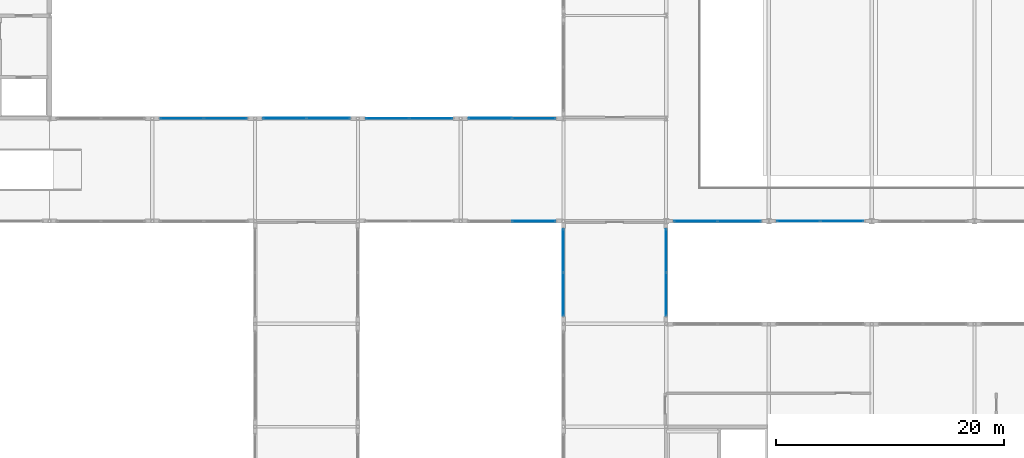
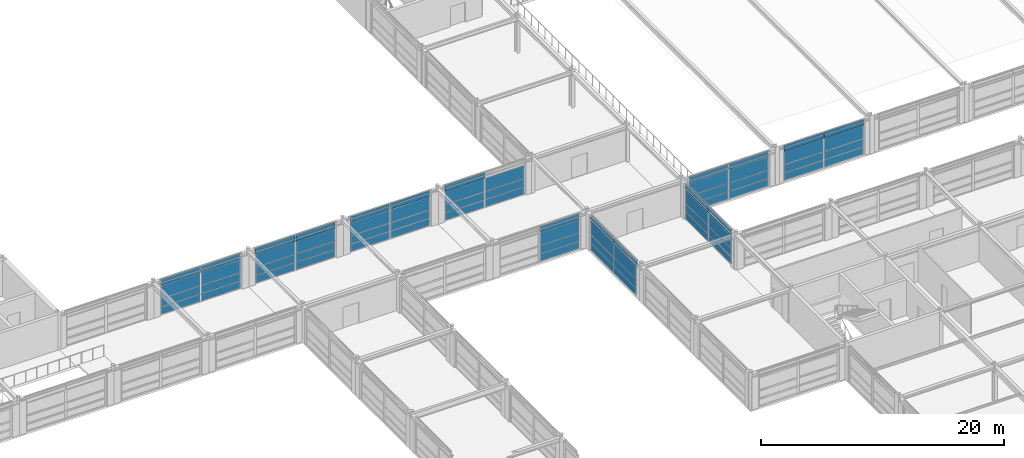
# One storey, part 56 of 79: 67 plates, 9 elements without a shape of their own.
"""IFC4 building model written with IfcOpenShell, lengths in metres."""

from ifc_helpers import new_model, si_unit, direction, frame, origin, origin_2d, place, context, subcontext, project, spatial, rectangle, extrude, material, layer, layer_set, type_object, element, aggregate, save


model = new_model("IFC4")

# Units and contexts
model_context = context("Model", 3, precision=1e-05, world=origin(), true_north=direction((0.0, 1.0)))
body_context = subcontext(model_context, "Body", "Model", "MODEL_VIEW")
ifc_project = project(units=[si_unit("LENGTHUNIT", "METRE"), si_unit("AREAUNIT", "SQUARE_METRE"), si_unit("VOLUMEUNIT", "CUBIC_METRE"), si_unit("PLANEANGLEUNIT", "RADIAN"), si_unit("MASSUNIT", "GRAM", prefix="KILO")], contexts=[model_context])

# Site, building, storey
site_placement = place(None, origin())
site = spatial("IfcSite", under=ifc_project, at=site_placement, CompositionType="ELEMENT")
building_placement = place(site_placement, origin())
building = spatial("IfcBuilding", under=site, at=building_placement, Name="Palais des Congres Ocreval", CompositionType="ELEMENT")
storey_placement = place(building_placement, frame((0.0, 0.0, 4.320068359375)))
storey = spatial("IfcBuildingStorey", under=building, at=storey_placement, Name="L01", CompositionType="ELEMENT", Elevation=4.320068359375)

# Curtain wall, plates
ifc_material_1 = material(Name="Anodized bronze aluminium and low-E glass", Category="glass")
curtain_wall_type = type_object("IfcCurtainWallType", Name="Unitised Curtain Wall 7900x3660", PredefinedType="USERDEFINED", material=ifc_material_1)
curtain_wall_1_placement = place(storey_placement, origin())
curtain_wall_1 = element("IfcCurtainWall", 1, at=curtain_wall_1_placement, inside=storey, type_object=curtain_wall_type, Name="Unitised Curtain Wall CW02 L01", ObjectType="UNITISED CURTAIN WALL", PredefinedType="USERDEFINED")
ifc_material_2 = material(Name="Acoustic triple glazing", Category="glass")
ifc_layer_1 = layer(ifc_material_2, 0.0439453125)
ifc_layer_set_1 = layer_set([ifc_layer_1], Name="Acoustic Laminated Glazing Panel 44 (Acoustic triple glazing)")
plate_type_1 = type_object("IfcPlateType", Name="Acoustic Laminated Glazing Panel 44", PredefinedType="CURTAIN_PANEL", material=ifc_layer_set_1)
plate_1_placement = place(storey_placement, frame((74.59375, 81.0, 0.06005859375), z_axis=(0.0, 0.0, 1.0), x_axis=(1.0, 0.0, 0.0)))
plate_1 = element("IfcPlate", 2, at=plate_1_placement, type_object=plate_type_1, Name="Vision Glazing Panel VP02", PredefinedType="CURTAIN_PANEL", context=body_context, shape_type="SweptSolid", body=[
    extrude(rectangle(XDim=3.737548828125, YDim=0.0439453125, at=origin_2d()), origin(), (0.0, 0.0, 1.0), 0.68994140625),
])
plate_2_placement = place(storey_placement, frame((74.59375, 81.0, 0.81005859375), z_axis=(0.0, 0.0, 1.0), x_axis=(1.0, 0.0, 0.0)))
plate_2 = element("IfcPlate", 3, at=plate_2_placement, type_object=plate_type_1, Name="Vision Glazing Panel VP02", PredefinedType="CURTAIN_PANEL", context=body_context, shape_type="SweptSolid", body=[
    extrude(rectangle(XDim=3.737548828125, YDim=0.0439453125, at=origin_2d()), origin(), (0.0, 0.0, 1.0), 0.777099609375),
])
plate_3_placement = place(storey_placement, frame((74.59375, 81.0, 1.64697265625), z_axis=(0.0, 0.0, 1.0), x_axis=(1.0, 0.0, 0.0)))
plate_3 = element("IfcPlate", 4, at=plate_3_placement, type_object=plate_type_1, Name="Vision Glazing Panel VP02", PredefinedType="CURTAIN_PANEL", context=body_context, shape_type="SweptSolid", body=[
    extrude(rectangle(XDim=3.737548828125, YDim=0.0439453125, at=origin_2d()), origin(), (0.0, 0.0, 1.0), 1.262939453125),
])
plate_4_placement = place(storey_placement, frame((78.40625, 81.0, 0.06005859375), z_axis=(0.0, 0.0, 1.0), x_axis=(1.0, 0.0, 0.0)))
plate_4 = element("IfcPlate", 5, at=plate_4_placement, type_object=plate_type_1, Name="Vision Glazing Panel VP02", PredefinedType="CURTAIN_PANEL", context=body_context, shape_type="SweptSolid", body=[
    extrude(rectangle(XDim=3.737548828125, YDim=0.0439453125, at=origin_2d()), origin(), (0.0, 0.0, 1.0), 0.68994140625),
])
plate_5_placement = place(storey_placement, frame((78.40625, 81.0, 0.81005859375), z_axis=(0.0, 0.0, 1.0), x_axis=(1.0, 0.0, 0.0)))
plate_5 = element("IfcPlate", 6, at=plate_5_placement, type_object=plate_type_1, Name="Vision Glazing Panel VP02", PredefinedType="CURTAIN_PANEL", context=body_context, shape_type="SweptSolid", body=[
    extrude(rectangle(XDim=3.737548828125, YDim=0.0439453125, at=origin_2d()), origin(), (0.0, 0.0, 1.0), 0.777099609375),
])
plate_6_placement = place(storey_placement, frame((78.40625, 81.0, 1.64697265625), z_axis=(0.0, 0.0, 1.0), x_axis=(1.0, 0.0, 0.0)))
plate_6 = element("IfcPlate", 7, at=plate_6_placement, type_object=plate_type_1, Name="Vision Glazing Panel VP02", PredefinedType="CURTAIN_PANEL", context=body_context, shape_type="SweptSolid", body=[
    extrude(rectangle(XDim=3.737548828125, YDim=0.0439453125, at=origin_2d()), origin(), (0.0, 0.0, 1.0), 1.262939453125),
])

curtain_wall_2_placement = place(storey_placement, origin())
curtain_wall_2 = element("IfcCurtainWall", 8, at=curtain_wall_2_placement, inside=storey, type_object=curtain_wall_type, Name="Unitised Curtain Wall CW02 L01", ObjectType="UNITISED CURTAIN WALL", PredefinedType="USERDEFINED")
plate_7_placement = place(storey_placement, frame((114.40625, 72.0, 0.06005859375), z_axis=(0.0, 0.0, 1.0), x_axis=(-1.0, 0.0, 0.0)))
plate_7 = element("IfcPlate", 9, at=plate_7_placement, type_object=plate_type_1, Name="Vision Glazing Panel VP02", PredefinedType="CURTAIN_PANEL", context=body_context, shape_type="SweptSolid", body=[
    extrude(rectangle(XDim=3.737548828125, YDim=0.0439453125, at=origin_2d()), origin(), (0.0, 0.0, 1.0), 0.68994140625),
])
plate_8_placement = place(storey_placement, frame((114.40625, 72.0, 0.81005859375), z_axis=(0.0, 0.0, 1.0), x_axis=(-1.0, 0.0, 0.0)))
plate_8 = element("IfcPlate", 10, at=plate_8_placement, type_object=plate_type_1, Name="Vision Glazing Panel VP02", PredefinedType="CURTAIN_PANEL", context=body_context, shape_type="SweptSolid", body=[
    extrude(rectangle(XDim=3.737548828125, YDim=0.0439453125, at=origin_2d()), origin(), (0.0, 0.0, 1.0), 0.782470703125),
])
plate_9_placement = place(storey_placement, frame((114.40625, 72.0, 1.65234375), z_axis=(0.0, 0.0, 1.0), x_axis=(-1.0, 0.0, 0.0)))
plate_9 = element("IfcPlate", 11, at=plate_9_placement, type_object=plate_type_1, Name="Vision Glazing Panel VP02", PredefinedType="CURTAIN_PANEL", context=body_context, shape_type="SweptSolid", body=[
    extrude(rectangle(XDim=3.737548828125, YDim=0.0439453125, at=origin_2d()), origin(), (0.0, 0.0, 1.0), 1.267578125),
])
plate_10_placement = place(storey_placement, frame((110.59375, 72.0, 0.06005859375), z_axis=(0.0, 0.0, 1.0), x_axis=(-1.0, 0.0, 0.0)))
plate_10 = element("IfcPlate", 12, at=plate_10_placement, type_object=plate_type_1, Name="Vision Glazing Panel VP02", PredefinedType="CURTAIN_PANEL", context=body_context, shape_type="SweptSolid", body=[
    extrude(rectangle(XDim=3.737548828125, YDim=0.0439453125, at=origin_2d()), origin(), (0.0, 0.0, 1.0), 0.68994140625),
])
plate_11_placement = place(storey_placement, frame((110.59375, 72.0, 0.81005859375), z_axis=(0.0, 0.0, 1.0), x_axis=(-1.0, 0.0, 0.0)))
plate_11 = element("IfcPlate", 13, at=plate_11_placement, type_object=plate_type_1, Name="Vision Glazing Panel VP02", PredefinedType="CURTAIN_PANEL", context=body_context, shape_type="SweptSolid", body=[
    extrude(rectangle(XDim=3.737548828125, YDim=0.0439453125, at=origin_2d()), origin(), (0.0, 0.0, 1.0), 0.782470703125),
])
plate_12_placement = place(storey_placement, frame((110.59375, 72.0, 1.65234375), z_axis=(0.0, 0.0, 1.0), x_axis=(-1.0, 0.0, 0.0)))
plate_12 = element("IfcPlate", 14, at=plate_12_placement, type_object=plate_type_1, Name="Vision Glazing Panel VP02", PredefinedType="CURTAIN_PANEL", context=body_context, shape_type="SweptSolid", body=[
    extrude(rectangle(XDim=3.737548828125, YDim=0.0439453125, at=origin_2d()), origin(), (0.0, 0.0, 1.0), 1.267578125),
])

curtain_wall_3_placement = place(storey_placement, origin())
curtain_wall_3 = element("IfcCurtainWall", 15, at=curtain_wall_3_placement, inside=storey, type_object=curtain_wall_type, Name="Unitised Curtain Wall CW02 L01", ObjectType="UNITISED CURTAIN WALL", PredefinedType="USERDEFINED")
plate_13_placement = place(storey_placement, frame((96.40625, 72.0, 0.06005859375), z_axis=(0.0, 0.0, 1.0), x_axis=(-1.0, 0.0, 0.0)))
plate_13 = element("IfcPlate", 16, at=plate_13_placement, type_object=plate_type_1, Name="Vision Glazing Panel VP02", PredefinedType="CURTAIN_PANEL", context=body_context, shape_type="SweptSolid", body=[
    extrude(rectangle(XDim=3.737548828125, YDim=0.0439453125, at=origin_2d()), origin(), (0.0, 0.0, 1.0), 0.68994140625),
])
plate_14_placement = place(storey_placement, frame((96.40625, 72.0, 0.81005859375), z_axis=(0.0, 0.0, 1.0), x_axis=(-1.0, 0.0, 0.0)))
plate_14 = element("IfcPlate", 17, at=plate_14_placement, type_object=plate_type_1, Name="Vision Glazing Panel VP02", PredefinedType="CURTAIN_PANEL", context=body_context, shape_type="SweptSolid", body=[
    extrude(rectangle(XDim=3.737548828125, YDim=0.0439453125, at=origin_2d()), origin(), (0.0, 0.0, 1.0), 0.777099609375),
])
plate_15_placement = place(storey_placement, frame((96.40625, 72.0, 1.64697265625), z_axis=(0.0, 0.0, 1.0), x_axis=(-1.0, 0.0, 0.0)))
plate_15 = element("IfcPlate", 18, at=plate_15_placement, type_object=plate_type_1, Name="Vision Glazing Panel VP02", PredefinedType="CURTAIN_PANEL", context=body_context, shape_type="SweptSolid", body=[
    extrude(rectangle(XDim=3.737548828125, YDim=0.0439453125, at=origin_2d()), origin(), (0.0, 0.0, 1.0), 1.262939453125),
])

curtain_wall_4_placement = place(storey_placement, origin())
curtain_wall_4 = element("IfcCurtainWall", 19, at=curtain_wall_4_placement, inside=storey, type_object=curtain_wall_type, Name="Unitised Curtain Wall CW02 L01", ObjectType="UNITISED CURTAIN WALL", PredefinedType="USERDEFINED")
ifc_material_3 = material(Name="Anodized bronze aluminium", Category="aluminium")
ifc_layer_2 = layer(ifc_material_3, 0.06005859375)
ifc_layer_set_2 = layer_set([ifc_layer_2], Name="Anodized Bronze Spandrel Cassette 60 (Anodized bronze aluminium)")
plate_type_2 = type_object("IfcPlateType", Name="Anodized Bronze Spandrel Cassette 60", PredefinedType="SHEET", material=ifc_layer_set_2)
plate_16_placement = place(storey_placement, frame((65.59375, 81.0, 2.969970703125), z_axis=(0.0, 0.0, 1.0), x_axis=(1.0, 0.0, 0.0)))
plate_16 = element("IfcPlate", 20, at=plate_16_placement, type_object=plate_type_2, Name="Spandrel Sheet SPN1", PredefinedType="SHEET", context=body_context, shape_type="SweptSolid", body=[
    extrude(rectangle(XDim=3.737548828125, YDim=0.06005859375, at=origin_2d()), origin(), (0.0, 0.0, 1.0), 0.56005859375),
])
plate_17_placement = place(storey_placement, frame((69.40625, 81.0, 2.969970703125), z_axis=(0.0, 0.0, 1.0), x_axis=(1.0, 0.0, 0.0)))
plate_17 = element("IfcPlate", 21, at=plate_17_placement, type_object=plate_type_2, Name="Spandrel Sheet SPN1", PredefinedType="SHEET", context=body_context, shape_type="SweptSolid", body=[
    extrude(rectangle(XDim=3.737548828125, YDim=0.06005859375, at=origin_2d()), origin(), (0.0, 0.0, 1.0), 0.56005859375),
])

curtain_wall_5_placement = place(storey_placement, origin())
curtain_wall_5 = element("IfcCurtainWall", 22, at=curtain_wall_5_placement, inside=storey, type_object=curtain_wall_type, Name="Unitised Curtain Wall CW02 L01", ObjectType="UNITISED CURTAIN WALL", PredefinedType="USERDEFINED")
plate_18_placement = place(storey_placement, frame((83.59375, 81.0, 2.969970703125), z_axis=(0.0, 0.0, 1.0), x_axis=(1.0, 0.0, 0.0)))
plate_18 = element("IfcPlate", 23, at=plate_18_placement, type_object=plate_type_2, Name="Spandrel Sheet SPN1", PredefinedType="SHEET", context=body_context, shape_type="SweptSolid", body=[
    extrude(rectangle(XDim=3.737548828125, YDim=0.06005859375, at=origin_2d()), origin(), (0.0, 0.0, 1.0), 0.56005859375),
])
plate_19_placement = place(storey_placement, frame((87.40625, 81.0, 2.969970703125), z_axis=(0.0, 0.0, 1.0), x_axis=(1.0, 0.0, 0.0)))
plate_19 = element("IfcPlate", 24, at=plate_19_placement, type_object=plate_type_2, Name="Spandrel Sheet SPN1", PredefinedType="SHEET", context=body_context, shape_type="SweptSolid", body=[
    extrude(rectangle(XDim=3.737548828125, YDim=0.06005859375, at=origin_2d()), origin(), (0.0, 0.0, 1.0), 0.56005859375),
])

# Plate
plate_20_placement = place(storey_placement, frame((114.40625, 72.0, 2.97998046875), z_axis=(0.0, 0.0, 1.0), x_axis=(-1.0, 0.0, 0.0)))
plate_20 = element("IfcPlate", 25, at=plate_20_placement, type_object=plate_type_2, Name="Spandrel Sheet SPN1", PredefinedType="SHEET", context=body_context, shape_type="SweptSolid", body=[
    extrude(rectangle(XDim=3.737548828125, YDim=0.06005859375, at=origin_2d()), origin(), (0.0, 0.0, 1.0), 0.56005859375),
])

plate_21_placement = place(storey_placement, frame((110.59375, 72.0, 2.97998046875), z_axis=(0.0, 0.0, 1.0), x_axis=(-1.0, 0.0, 0.0)))
plate_21 = element("IfcPlate", 26, at=plate_21_placement, type_object=plate_type_2, Name="Spandrel Sheet SPN1", PredefinedType="SHEET", context=body_context, shape_type="SweptSolid", body=[
    extrude(rectangle(XDim=3.737548828125, YDim=0.06005859375, at=origin_2d()), origin(), (0.0, 0.0, 1.0), 0.56005859375),
])

aggregate(curtain_wall_2, [plate_7, plate_8, plate_9, plate_20, plate_10, plate_11, plate_12, plate_21])

plate_22_placement = place(storey_placement, frame((96.40625, 72.0, 2.969970703125), z_axis=(0.0, 0.0, 1.0), x_axis=(-1.0, 0.0, 0.0)))
plate_22 = element("IfcPlate", 27, at=plate_22_placement, type_object=plate_type_2, Name="Spandrel Sheet SPN1", PredefinedType="SHEET", context=body_context, shape_type="SweptSolid", body=[
    extrude(rectangle(XDim=3.737548828125, YDim=0.06005859375, at=origin_2d()), origin(), (0.0, 0.0, 1.0), 0.56005859375),
])

aggregate(curtain_wall_3, [plate_13, plate_14, plate_15, plate_22])

ifc_material_4 = material(Name="Low-E solar-control double glazing", Category="glass")
ifc_layer_3 = layer(ifc_material_4, 0.031982421875)
ifc_layer_set_3 = layer_set([ifc_layer_3], Name="Galleria Clear Vision Panel 32 (Low-E solar-control double glazing)")
plate_type_3 = type_object("IfcPlateType", Name="Galleria Clear Vision Panel 32", PredefinedType="CURTAIN_PANEL", material=ifc_layer_set_3)
plate_23_placement = place(storey_placement, frame((83.59375, 81.0, 0.06005859375), z_axis=(0.0, 0.0, 1.0), x_axis=(1.0, 0.0, 0.0)))
plate_23 = element("IfcPlate", 28, at=plate_23_placement, type_object=plate_type_3, Name="Vision Glazing Panel VP03", PredefinedType="CURTAIN_PANEL", context=body_context, shape_type="SweptSolid", body=[
    extrude(rectangle(XDim=3.737548828125, YDim=0.031982421875, at=origin_2d()), origin(), (0.0, 0.0, 1.0), 0.68994140625),
])

plate_24_placement = place(storey_placement, frame((83.59375, 81.0, 0.81005859375), z_axis=(0.0, 0.0, 1.0), x_axis=(1.0, 0.0, 0.0)))
plate_24 = element("IfcPlate", 29, at=plate_24_placement, type_object=plate_type_3, Name="Vision Glazing Panel VP03", PredefinedType="CURTAIN_PANEL", context=body_context, shape_type="SweptSolid", body=[
    extrude(rectangle(XDim=3.737548828125, YDim=0.031982421875, at=origin_2d()), origin(), (0.0, 0.0, 1.0), 0.777099609375),
])

plate_25_placement = place(storey_placement, frame((83.59375, 81.0, 1.64697265625), z_axis=(0.0, 0.0, 1.0), x_axis=(1.0, 0.0, 0.0)))
plate_25 = element("IfcPlate", 30, at=plate_25_placement, type_object=plate_type_3, Name="Vision Glazing Panel VP03", PredefinedType="CURTAIN_PANEL", context=body_context, shape_type="SweptSolid", body=[
    extrude(rectangle(XDim=3.737548828125, YDim=0.031982421875, at=origin_2d()), origin(), (0.0, 0.0, 1.0), 1.262939453125),
])

plate_26_placement = place(storey_placement, frame((87.40625, 81.0, 0.06005859375), z_axis=(0.0, 0.0, 1.0), x_axis=(1.0, 0.0, 0.0)))
plate_26 = element("IfcPlate", 31, at=plate_26_placement, type_object=plate_type_3, Name="Vision Glazing Panel VP03", PredefinedType="CURTAIN_PANEL", context=body_context, shape_type="SweptSolid", body=[
    extrude(rectangle(XDim=3.737548828125, YDim=0.031982421875, at=origin_2d()), origin(), (0.0, 0.0, 1.0), 0.68994140625),
])

plate_27_placement = place(storey_placement, frame((87.40625, 81.0, 0.81005859375), z_axis=(0.0, 0.0, 1.0), x_axis=(1.0, 0.0, 0.0)))
plate_27 = element("IfcPlate", 32, at=plate_27_placement, type_object=plate_type_3, Name="Vision Glazing Panel VP03", PredefinedType="CURTAIN_PANEL", context=body_context, shape_type="SweptSolid", body=[
    extrude(rectangle(XDim=3.737548828125, YDim=0.031982421875, at=origin_2d()), origin(), (0.0, 0.0, 1.0), 0.777099609375),
])

plate_28_placement = place(storey_placement, frame((87.40625, 81.0, 1.64697265625), z_axis=(0.0, 0.0, 1.0), x_axis=(1.0, 0.0, 0.0)))
plate_28 = element("IfcPlate", 33, at=plate_28_placement, type_object=plate_type_3, Name="Vision Glazing Panel VP03", PredefinedType="CURTAIN_PANEL", context=body_context, shape_type="SweptSolid", body=[
    extrude(rectangle(XDim=3.737548828125, YDim=0.031982421875, at=origin_2d()), origin(), (0.0, 0.0, 1.0), 1.262939453125),
])

aggregate(curtain_wall_5, [plate_23, plate_24, plate_25, plate_18, plate_26, plate_27, plate_28, plate_19])

# Curtain wall, plates
curtain_wall_6_placement = place(storey_placement, origin())
curtain_wall_6 = element("IfcCurtainWall", 34, at=curtain_wall_6_placement, inside=storey, type_object=curtain_wall_type, Name="Unitised Curtain Wall CW02 L01", ObjectType="UNITISED CURTAIN WALL", PredefinedType="USERDEFINED")
plate_29_placement = place(storey_placement, frame((108.0, 69.40625, 0.06005859375), z_axis=(0.0, 0.0, 1.0), x_axis=(0.0, -1.0, 0.0)))
plate_29 = element("IfcPlate", 35, at=plate_29_placement, type_object=plate_type_3, Name="Vision Glazing Panel VP03", PredefinedType="CURTAIN_PANEL", context=body_context, shape_type="SweptSolid", body=[
    extrude(rectangle(XDim=3.737548828125, YDim=0.031982421875, at=origin_2d()), origin(), (0.0, 0.0, 1.0), 0.68994140625),
])
plate_30_placement = place(storey_placement, frame((108.0, 69.40625, 0.81005859375), z_axis=(0.0, 0.0, 1.0), x_axis=(0.0, -1.0, 0.0)))
plate_30 = element("IfcPlate", 36, at=plate_30_placement, type_object=plate_type_3, Name="Vision Glazing Panel VP03", PredefinedType="CURTAIN_PANEL", context=body_context, shape_type="SweptSolid", body=[
    extrude(rectangle(XDim=3.737548828125, YDim=0.031982421875, at=origin_2d()), origin(), (0.0, 0.0, 1.0), 0.777099609375),
])
plate_31_placement = place(storey_placement, frame((108.0, 69.40625, 1.64697265625), z_axis=(0.0, 0.0, 1.0), x_axis=(0.0, -1.0, 0.0)))
plate_31 = element("IfcPlate", 37, at=plate_31_placement, type_object=plate_type_3, Name="Vision Glazing Panel VP03", PredefinedType="CURTAIN_PANEL", context=body_context, shape_type="SweptSolid", body=[
    extrude(rectangle(XDim=3.737548828125, YDim=0.031982421875, at=origin_2d()), origin(), (0.0, 0.0, 1.0), 1.262939453125),
])
plate_32_placement = place(storey_placement, frame((108.0, 65.59375, 0.06005859375), z_axis=(0.0, 0.0, 1.0), x_axis=(0.0, -1.0, 0.0)))
plate_32 = element("IfcPlate", 38, at=plate_32_placement, type_object=plate_type_3, Name="Vision Glazing Panel VP03", PredefinedType="CURTAIN_PANEL", context=body_context, shape_type="SweptSolid", body=[
    extrude(rectangle(XDim=3.737548828125, YDim=0.031982421875, at=origin_2d()), origin(), (0.0, 0.0, 1.0), 0.68994140625),
])
plate_33_placement = place(storey_placement, frame((108.0, 65.59375, 0.81005859375), z_axis=(0.0, 0.0, 1.0), x_axis=(0.0, -1.0, 0.0)))
plate_33 = element("IfcPlate", 39, at=plate_33_placement, type_object=plate_type_3, Name="Vision Glazing Panel VP03", PredefinedType="CURTAIN_PANEL", context=body_context, shape_type="SweptSolid", body=[
    extrude(rectangle(XDim=3.737548828125, YDim=0.031982421875, at=origin_2d()), origin(), (0.0, 0.0, 1.0), 0.777099609375),
])
plate_34_placement = place(storey_placement, frame((108.0, 65.59375, 1.64697265625), z_axis=(0.0, 0.0, 1.0), x_axis=(0.0, -1.0, 0.0)))
plate_34 = element("IfcPlate", 40, at=plate_34_placement, type_object=plate_type_3, Name="Vision Glazing Panel VP03", PredefinedType="CURTAIN_PANEL", context=body_context, shape_type="SweptSolid", body=[
    extrude(rectangle(XDim=3.737548828125, YDim=0.031982421875, at=origin_2d()), origin(), (0.0, 0.0, 1.0), 1.262939453125),
])

# Plate
ifc_layer_4 = layer(ifc_material_4, 0.035888671875)
ifc_layer_set_4 = layer_set([ifc_layer_4], Name="Low-E Vision Glazing Panel 36 (Low-E solar-control double glazing)")
plate_type_4 = type_object("IfcPlateType", Name="Low-E Vision Glazing Panel 36", PredefinedType="CURTAIN_PANEL", material=ifc_layer_set_4)
plate_35_placement = place(storey_placement, frame((65.59375, 81.0, 0.06005859375), z_axis=(0.0, 0.0, 1.0), x_axis=(1.0, 0.0, 0.0)))
plate_35 = element("IfcPlate", 41, at=plate_35_placement, type_object=plate_type_4, Name="Vision Glazing Panel VP01", PredefinedType="CURTAIN_PANEL", context=body_context, shape_type="SweptSolid", body=[
    extrude(rectangle(XDim=3.737548828125, YDim=0.035888671875, at=origin_2d()), origin(), (0.0, 0.0, 1.0), 0.68994140625),
])

plate_36_placement = place(storey_placement, frame((65.59375, 81.0, 0.81005859375), z_axis=(0.0, 0.0, 1.0), x_axis=(1.0, 0.0, 0.0)))
plate_36 = element("IfcPlate", 42, at=plate_36_placement, type_object=plate_type_4, Name="Vision Glazing Panel VP01", PredefinedType="CURTAIN_PANEL", context=body_context, shape_type="SweptSolid", body=[
    extrude(rectangle(XDim=3.737548828125, YDim=0.035888671875, at=origin_2d()), origin(), (0.0, 0.0, 1.0), 0.777099609375),
])

plate_37_placement = place(storey_placement, frame((65.59375, 81.0, 1.64697265625), z_axis=(0.0, 0.0, 1.0), x_axis=(1.0, 0.0, 0.0)))
plate_37 = element("IfcPlate", 43, at=plate_37_placement, type_object=plate_type_4, Name="Vision Glazing Panel VP01", PredefinedType="CURTAIN_PANEL", context=body_context, shape_type="SweptSolid", body=[
    extrude(rectangle(XDim=3.737548828125, YDim=0.035888671875, at=origin_2d()), origin(), (0.0, 0.0, 1.0), 1.262939453125),
])

plate_38_placement = place(storey_placement, frame((69.40625, 81.0, 0.06005859375), z_axis=(0.0, 0.0, 1.0), x_axis=(1.0, 0.0, 0.0)))
plate_38 = element("IfcPlate", 44, at=plate_38_placement, type_object=plate_type_4, Name="Vision Glazing Panel VP01", PredefinedType="CURTAIN_PANEL", context=body_context, shape_type="SweptSolid", body=[
    extrude(rectangle(XDim=3.737548828125, YDim=0.035888671875, at=origin_2d()), origin(), (0.0, 0.0, 1.0), 0.68994140625),
])

plate_39_placement = place(storey_placement, frame((69.40625, 81.0, 0.81005859375), z_axis=(0.0, 0.0, 1.0), x_axis=(1.0, 0.0, 0.0)))
plate_39 = element("IfcPlate", 45, at=plate_39_placement, type_object=plate_type_4, Name="Vision Glazing Panel VP01", PredefinedType="CURTAIN_PANEL", context=body_context, shape_type="SweptSolid", body=[
    extrude(rectangle(XDim=3.737548828125, YDim=0.035888671875, at=origin_2d()), origin(), (0.0, 0.0, 1.0), 0.777099609375),
])

plate_40_placement = place(storey_placement, frame((69.40625, 81.0, 1.64697265625), z_axis=(0.0, 0.0, 1.0), x_axis=(1.0, 0.0, 0.0)))
plate_40 = element("IfcPlate", 46, at=plate_40_placement, type_object=plate_type_4, Name="Vision Glazing Panel VP01", PredefinedType="CURTAIN_PANEL", context=body_context, shape_type="SweptSolid", body=[
    extrude(rectangle(XDim=3.737548828125, YDim=0.035888671875, at=origin_2d()), origin(), (0.0, 0.0, 1.0), 1.262939453125),
])

aggregate(curtain_wall_4, [plate_35, plate_36, plate_37, plate_16, plate_38, plate_39, plate_40, plate_17])

# Curtain wall, plates
curtain_wall_7_placement = place(storey_placement, origin())
curtain_wall_7 = element("IfcCurtainWall", 47, at=curtain_wall_7_placement, inside=storey, type_object=curtain_wall_type, Name="Unitised Curtain Wall CW02 L01", ObjectType="UNITISED CURTAIN WALL", PredefinedType="USERDEFINED")
plate_41_placement = place(storey_placement, frame((92.59375, 81.0, 0.06005859375), z_axis=(0.0, 0.0, 1.0), x_axis=(1.0, 0.0, 0.0)))
plate_41 = element("IfcPlate", 48, at=plate_41_placement, type_object=plate_type_4, Name="Vision Glazing Panel VP01", PredefinedType="CURTAIN_PANEL", context=body_context, shape_type="SweptSolid", body=[
    extrude(rectangle(XDim=3.737548828125, YDim=0.035888671875, at=origin_2d()), origin(), (0.0, 0.0, 1.0), 0.68994140625),
])
plate_42_placement = place(storey_placement, frame((92.59375, 81.0, 0.81005859375), z_axis=(0.0, 0.0, 1.0), x_axis=(1.0, 0.0, 0.0)))
plate_42 = element("IfcPlate", 49, at=plate_42_placement, type_object=plate_type_4, Name="Vision Glazing Panel VP01", PredefinedType="CURTAIN_PANEL", context=body_context, shape_type="SweptSolid", body=[
    extrude(rectangle(XDim=3.737548828125, YDim=0.035888671875, at=origin_2d()), origin(), (0.0, 0.0, 1.0), 0.777099609375),
])
plate_43_placement = place(storey_placement, frame((92.59375, 81.0, 1.64697265625), z_axis=(0.0, 0.0, 1.0), x_axis=(1.0, 0.0, 0.0)))
plate_43 = element("IfcPlate", 50, at=plate_43_placement, type_object=plate_type_4, Name="Vision Glazing Panel VP01", PredefinedType="CURTAIN_PANEL", context=body_context, shape_type="SweptSolid", body=[
    extrude(rectangle(XDim=3.737548828125, YDim=0.035888671875, at=origin_2d()), origin(), (0.0, 0.0, 1.0), 1.262939453125),
])
plate_44_placement = place(storey_placement, frame((96.40625, 81.0, 0.06005859375), z_axis=(0.0, 0.0, 1.0), x_axis=(1.0, 0.0, 0.0)))
plate_44 = element("IfcPlate", 51, at=plate_44_placement, type_object=plate_type_4, Name="Vision Glazing Panel VP01", PredefinedType="CURTAIN_PANEL", context=body_context, shape_type="SweptSolid", body=[
    extrude(rectangle(XDim=3.737548828125, YDim=0.035888671875, at=origin_2d()), origin(), (0.0, 0.0, 1.0), 0.68994140625),
])
plate_45_placement = place(storey_placement, frame((96.40625, 81.0, 0.81005859375), z_axis=(0.0, 0.0, 1.0), x_axis=(1.0, 0.0, 0.0)))
plate_45 = element("IfcPlate", 52, at=plate_45_placement, type_object=plate_type_4, Name="Vision Glazing Panel VP01", PredefinedType="CURTAIN_PANEL", context=body_context, shape_type="SweptSolid", body=[
    extrude(rectangle(XDim=3.737548828125, YDim=0.035888671875, at=origin_2d()), origin(), (0.0, 0.0, 1.0), 0.777099609375),
])
plate_46_placement = place(storey_placement, frame((96.40625, 81.0, 1.64697265625), z_axis=(0.0, 0.0, 1.0), x_axis=(1.0, 0.0, 0.0)))
plate_46 = element("IfcPlate", 53, at=plate_46_placement, type_object=plate_type_4, Name="Vision Glazing Panel VP01", PredefinedType="CURTAIN_PANEL", context=body_context, shape_type="SweptSolid", body=[
    extrude(rectangle(XDim=3.737548828125, YDim=0.035888671875, at=origin_2d()), origin(), (0.0, 0.0, 1.0), 1.262939453125),
])

curtain_wall_8_placement = place(storey_placement, origin())
curtain_wall_8 = element("IfcCurtainWall", 54, at=curtain_wall_8_placement, inside=storey, type_object=curtain_wall_type, Name="Unitised Curtain Wall CW02 L01", ObjectType="UNITISED CURTAIN WALL", PredefinedType="USERDEFINED")
plate_47_placement = place(storey_placement, frame((123.40625, 72.0, 0.06005859375), z_axis=(0.0, 0.0, 1.0), x_axis=(-1.0, 0.0, 0.0)))
plate_47 = element("IfcPlate", 55, at=plate_47_placement, type_object=plate_type_4, Name="Vision Glazing Panel VP01", PredefinedType="CURTAIN_PANEL", context=body_context, shape_type="SweptSolid", body=[
    extrude(rectangle(XDim=3.737548828125, YDim=0.035888671875, at=origin_2d()), origin(), (0.0, 0.0, 1.0), 0.68994140625),
])
plate_48_placement = place(storey_placement, frame((123.40625, 72.0, 0.81005859375), z_axis=(0.0, 0.0, 1.0), x_axis=(-1.0, 0.0, 0.0)))
plate_48 = element("IfcPlate", 56, at=plate_48_placement, type_object=plate_type_4, Name="Vision Glazing Panel VP01", PredefinedType="CURTAIN_PANEL", context=body_context, shape_type="SweptSolid", body=[
    extrude(rectangle(XDim=3.737548828125, YDim=0.035888671875, at=origin_2d()), origin(), (0.0, 0.0, 1.0), 0.782470703125),
])
plate_49_placement = place(storey_placement, frame((123.40625, 72.0, 1.65234375), z_axis=(0.0, 0.0, 1.0), x_axis=(-1.0, 0.0, 0.0)))
plate_49 = element("IfcPlate", 57, at=plate_49_placement, type_object=plate_type_4, Name="Vision Glazing Panel VP01", PredefinedType="CURTAIN_PANEL", context=body_context, shape_type="SweptSolid", body=[
    extrude(rectangle(XDim=3.737548828125, YDim=0.035888671875, at=origin_2d()), origin(), (0.0, 0.0, 1.0), 1.267578125),
])
plate_50_placement = place(storey_placement, frame((119.59375, 72.0, 0.06005859375), z_axis=(0.0, 0.0, 1.0), x_axis=(-1.0, 0.0, 0.0)))
plate_50 = element("IfcPlate", 58, at=plate_50_placement, type_object=plate_type_4, Name="Vision Glazing Panel VP01", PredefinedType="CURTAIN_PANEL", context=body_context, shape_type="SweptSolid", body=[
    extrude(rectangle(XDim=3.737548828125, YDim=0.035888671875, at=origin_2d()), origin(), (0.0, 0.0, 1.0), 0.68994140625),
])
plate_51_placement = place(storey_placement, frame((119.59375, 72.0, 0.81005859375), z_axis=(0.0, 0.0, 1.0), x_axis=(-1.0, 0.0, 0.0)))
plate_51 = element("IfcPlate", 59, at=plate_51_placement, type_object=plate_type_4, Name="Vision Glazing Panel VP01", PredefinedType="CURTAIN_PANEL", context=body_context, shape_type="SweptSolid", body=[
    extrude(rectangle(XDim=3.737548828125, YDim=0.035888671875, at=origin_2d()), origin(), (0.0, 0.0, 1.0), 0.782470703125),
])
plate_52_placement = place(storey_placement, frame((119.59375, 72.0, 1.65234375), z_axis=(0.0, 0.0, 1.0), x_axis=(-1.0, 0.0, 0.0)))
plate_52 = element("IfcPlate", 60, at=plate_52_placement, type_object=plate_type_4, Name="Vision Glazing Panel VP01", PredefinedType="CURTAIN_PANEL", context=body_context, shape_type="SweptSolid", body=[
    extrude(rectangle(XDim=3.737548828125, YDim=0.035888671875, at=origin_2d()), origin(), (0.0, 0.0, 1.0), 1.267578125),
])

curtain_wall_9_placement = place(storey_placement, origin())
curtain_wall_9 = element("IfcCurtainWall", 61, at=curtain_wall_9_placement, inside=storey, type_object=curtain_wall_type, Name="Unitised Curtain Wall CW02 L01", ObjectType="UNITISED CURTAIN WALL", PredefinedType="USERDEFINED")
plate_53_placement = place(storey_placement, frame((99.0, 65.59375, 0.06005859375), z_axis=(0.0, 0.0, 1.0), x_axis=(0.0, 1.0, 0.0)))
plate_53 = element("IfcPlate", 62, at=plate_53_placement, type_object=plate_type_4, Name="Vision Glazing Panel VP01", PredefinedType="CURTAIN_PANEL", context=body_context, shape_type="SweptSolid", body=[
    extrude(rectangle(XDim=3.737548828125, YDim=0.035888671875, at=origin_2d()), origin(), (0.0, 0.0, 1.0), 0.68994140625),
])
plate_54_placement = place(storey_placement, frame((99.0, 65.59375, 0.81005859375), z_axis=(0.0, 0.0, 1.0), x_axis=(0.0, 1.0, 0.0)))
plate_54 = element("IfcPlate", 63, at=plate_54_placement, type_object=plate_type_4, Name="Vision Glazing Panel VP01", PredefinedType="CURTAIN_PANEL", context=body_context, shape_type="SweptSolid", body=[
    extrude(rectangle(XDim=3.737548828125, YDim=0.035888671875, at=origin_2d()), origin(), (0.0, 0.0, 1.0), 0.777099609375),
])
plate_55_placement = place(storey_placement, frame((99.0, 65.59375, 1.64697265625), z_axis=(0.0, 0.0, 1.0), x_axis=(0.0, 1.0, 0.0)))
plate_55 = element("IfcPlate", 64, at=plate_55_placement, type_object=plate_type_4, Name="Vision Glazing Panel VP01", PredefinedType="CURTAIN_PANEL", context=body_context, shape_type="SweptSolid", body=[
    extrude(rectangle(XDim=3.737548828125, YDim=0.035888671875, at=origin_2d()), origin(), (0.0, 0.0, 1.0), 1.262939453125),
])
plate_56_placement = place(storey_placement, frame((99.0, 69.40625, 0.06005859375), z_axis=(0.0, 0.0, 1.0), x_axis=(0.0, 1.0, 0.0)))
plate_56 = element("IfcPlate", 65, at=plate_56_placement, type_object=plate_type_4, Name="Vision Glazing Panel VP01", PredefinedType="CURTAIN_PANEL", context=body_context, shape_type="SweptSolid", body=[
    extrude(rectangle(XDim=3.737548828125, YDim=0.035888671875, at=origin_2d()), origin(), (0.0, 0.0, 1.0), 0.68994140625),
])
plate_57_placement = place(storey_placement, frame((99.0, 69.40625, 0.81005859375), z_axis=(0.0, 0.0, 1.0), x_axis=(0.0, 1.0, 0.0)))
plate_57 = element("IfcPlate", 66, at=plate_57_placement, type_object=plate_type_4, Name="Vision Glazing Panel VP01", PredefinedType="CURTAIN_PANEL", context=body_context, shape_type="SweptSolid", body=[
    extrude(rectangle(XDim=3.737548828125, YDim=0.035888671875, at=origin_2d()), origin(), (0.0, 0.0, 1.0), 0.777099609375),
])
plate_58_placement = place(storey_placement, frame((99.0, 69.40625, 1.64697265625), z_axis=(0.0, 0.0, 1.0), x_axis=(0.0, 1.0, 0.0)))
plate_58 = element("IfcPlate", 67, at=plate_58_placement, type_object=plate_type_4, Name="Vision Glazing Panel VP01", PredefinedType="CURTAIN_PANEL", context=body_context, shape_type="SweptSolid", body=[
    extrude(rectangle(XDim=3.737548828125, YDim=0.035888671875, at=origin_2d()), origin(), (0.0, 0.0, 1.0), 1.262939453125),
])

# Plate
ifc_material_5 = material(Name="Terracotta ceramic spandrel", Category="masonry")
ifc_layer_5 = layer(ifc_material_5, 0.080078125)
ifc_layer_set_5 = layer_set([ifc_layer_5], Name="Terracotta Insulated Spandrel Sheet 80 (Terracotta ceramic spandrel)")
plate_type_5 = type_object("IfcPlateType", Name="Terracotta Insulated Spandrel Sheet 80", PredefinedType="SHEET", material=ifc_layer_set_5)
plate_59_placement = place(storey_placement, frame((74.59375, 81.0, 2.969970703125), z_axis=(0.0, 0.0, 1.0), x_axis=(1.0, 0.0, 0.0)))
plate_59 = element("IfcPlate", 68, at=plate_59_placement, type_object=plate_type_5, Name="Spandrel Sheet SPN2", PredefinedType="SHEET", context=body_context, shape_type="SweptSolid", body=[
    extrude(rectangle(XDim=3.737548828125, YDim=0.080078125, at=origin_2d()), origin(), (0.0, 0.0, 1.0), 0.56005859375),
])

plate_60_placement = place(storey_placement, frame((78.40625, 81.0, 2.969970703125), z_axis=(0.0, 0.0, 1.0), x_axis=(1.0, 0.0, 0.0)))
plate_60 = element("IfcPlate", 69, at=plate_60_placement, type_object=plate_type_5, Name="Spandrel Sheet SPN2", PredefinedType="SHEET", context=body_context, shape_type="SweptSolid", body=[
    extrude(rectangle(XDim=3.737548828125, YDim=0.080078125, at=origin_2d()), origin(), (0.0, 0.0, 1.0), 0.56005859375),
])

aggregate(curtain_wall_1, [plate_1, plate_2, plate_3, plate_59, plate_4, plate_5, plate_6, plate_60])

plate_61_placement = place(storey_placement, frame((92.59375, 81.0, 2.969970703125), z_axis=(0.0, 0.0, 1.0), x_axis=(1.0, 0.0, 0.0)))
plate_61 = element("IfcPlate", 70, at=plate_61_placement, type_object=plate_type_5, Name="Spandrel Sheet SPN2", PredefinedType="SHEET", context=body_context, shape_type="SweptSolid", body=[
    extrude(rectangle(XDim=3.737548828125, YDim=0.080078125, at=origin_2d()), origin(), (0.0, 0.0, 1.0), 0.56005859375),
])

aggregate(curtain_wall_7, [plate_41, plate_42, plate_43, plate_61, plate_44, plate_45, plate_46])

plate_62_placement = place(storey_placement, frame((123.40625, 72.0, 2.97998046875), z_axis=(0.0, 0.0, 1.0), x_axis=(-1.0, 0.0, 0.0)))
plate_62 = element("IfcPlate", 71, at=plate_62_placement, type_object=plate_type_5, Name="Spandrel Sheet SPN2", PredefinedType="SHEET", context=body_context, shape_type="SweptSolid", body=[
    extrude(rectangle(XDim=3.737548828125, YDim=0.080078125, at=origin_2d()), origin(), (0.0, 0.0, 1.0), 0.56005859375),
])

plate_63_placement = place(storey_placement, frame((119.59375, 72.0, 2.97998046875), z_axis=(0.0, 0.0, 1.0), x_axis=(-1.0, 0.0, 0.0)))
plate_63 = element("IfcPlate", 72, at=plate_63_placement, type_object=plate_type_5, Name="Spandrel Sheet SPN2", PredefinedType="SHEET", context=body_context, shape_type="SweptSolid", body=[
    extrude(rectangle(XDim=3.737548828125, YDim=0.080078125, at=origin_2d()), origin(), (0.0, 0.0, 1.0), 0.56005859375),
])

aggregate(curtain_wall_8, [plate_47, plate_48, plate_49, plate_62, plate_50, plate_51, plate_52, plate_63])

plate_64_placement = place(storey_placement, frame((108.0, 69.40625, 2.969970703125), z_axis=(0.0, 0.0, 1.0), x_axis=(0.0, -1.0, 0.0)))
plate_64 = element("IfcPlate", 73, at=plate_64_placement, type_object=plate_type_5, Name="Spandrel Sheet SPN2", PredefinedType="SHEET", context=body_context, shape_type="SweptSolid", body=[
    extrude(rectangle(XDim=3.737548828125, YDim=0.080078125, at=origin_2d()), origin(), (0.0, 0.0, 1.0), 0.56005859375),
])

plate_65_placement = place(storey_placement, frame((108.0, 65.59375, 2.969970703125), z_axis=(0.0, 0.0, 1.0), x_axis=(0.0, -1.0, 0.0)))
plate_65 = element("IfcPlate", 74, at=plate_65_placement, type_object=plate_type_5, Name="Spandrel Sheet SPN2", PredefinedType="SHEET", context=body_context, shape_type="SweptSolid", body=[
    extrude(rectangle(XDim=3.737548828125, YDim=0.080078125, at=origin_2d()), origin(), (0.0, 0.0, 1.0), 0.56005859375),
])

aggregate(curtain_wall_6, [plate_29, plate_30, plate_31, plate_64, plate_32, plate_33, plate_34, plate_65])

plate_66_placement = place(storey_placement, frame((99.0, 65.59375, 2.969970703125), z_axis=(0.0, 0.0, 1.0), x_axis=(0.0, 1.0, 0.0)))
plate_66 = element("IfcPlate", 75, at=plate_66_placement, type_object=plate_type_5, Name="Spandrel Sheet SPN2", PredefinedType="SHEET", context=body_context, shape_type="SweptSolid", body=[
    extrude(rectangle(XDim=3.737548828125, YDim=0.080078125, at=origin_2d()), origin(), (0.0, 0.0, 1.0), 0.56005859375),
])

plate_67_placement = place(storey_placement, frame((99.0, 69.40625, 2.969970703125), z_axis=(0.0, 0.0, 1.0), x_axis=(0.0, 1.0, 0.0)))
plate_67 = element("IfcPlate", 76, at=plate_67_placement, type_object=plate_type_5, Name="Spandrel Sheet SPN2", PredefinedType="SHEET", context=body_context, shape_type="SweptSolid", body=[
    extrude(rectangle(XDim=3.737548828125, YDim=0.080078125, at=origin_2d()), origin(), (0.0, 0.0, 1.0), 0.56005859375),
])

aggregate(curtain_wall_9, [plate_53, plate_54, plate_55, plate_66, plate_56, plate_57, plate_58, plate_67])

save(model, "model.ifc")
